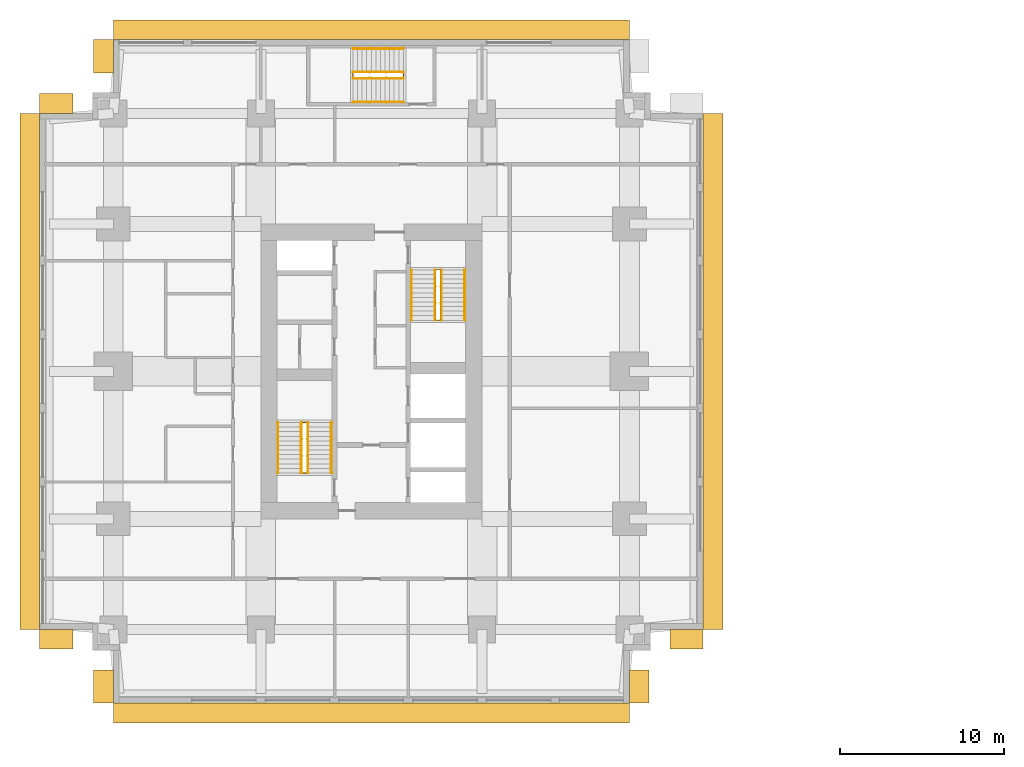
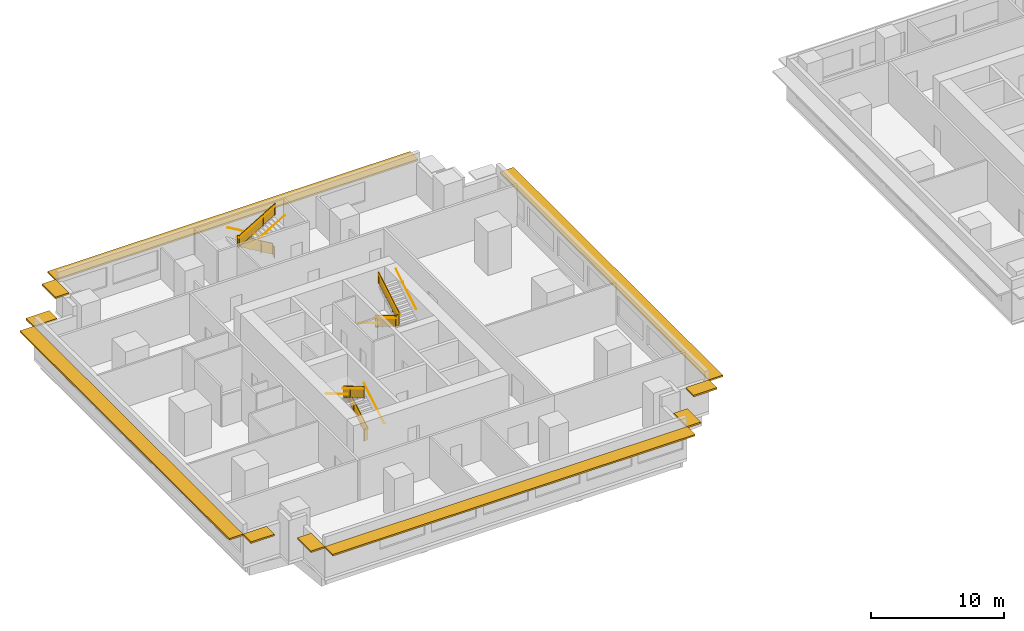
# One storey, part 10 of 11: 15 railings, 10 shading devices.
"""IFC4 building model written with IfcOpenShell, lengths in metres."""

from ifc_helpers import new_model, si_unit, direction, frame, origin, origin_2d, place, context, subcontext, project, spatial, polyline, rectangle, circle, outline, extrude, material, layer, layer_set, type_object, element, save


model = new_model("IFC4")

# Units and contexts
model_context = context("Model", 3, precision=1e-05, world=origin(), true_north=direction((0.0, 1.0)))
body_context = subcontext(model_context, "Body", "Model", "MODEL_VIEW")
ifc_project = project(units=[si_unit("LENGTHUNIT", "METRE"), si_unit("AREAUNIT", "SQUARE_METRE"), si_unit("VOLUMEUNIT", "CUBIC_METRE"), si_unit("PLANEANGLEUNIT", "RADIAN"), si_unit("MASSUNIT", "GRAM", prefix="KILO")], contexts=[model_context])

# Site, building, storey
site_placement = place(None, origin())
site = spatial("IfcSite", under=ifc_project, at=site_placement, CompositionType="ELEMENT")
building_placement = place(site_placement, origin())
building = spatial("IfcBuilding", under=site, at=building_placement, Name="Namib Vertical Campus", CompositionType="ELEMENT")
storey_placement = place(building_placement, frame((0.0, 0.0, 189.0)))
storey = spatial("IfcBuildingStorey", under=building, at=storey_placement, Name="L44", CompositionType="ELEMENT", Elevation=189.0)

# Railings
ifc_material_1 = material(Name="Steel handrail", Category="steel")
railing_type_1 = type_object("IfcRailingType", Name="Handrail 900", PredefinedType="HANDRAIL", material=ifc_material_1)
railing_1_placement = place(storey_placement, frame((17.800048828125, 14.050048828125, 0.166748046875)))
element("IfcRailing", 1, at=railing_1_placement, inside=storey, type_object=railing_type_1, Name="Handrail HR1 A-S1 L44 1", PredefinedType="HANDRAIL", context=body_context, shape_type="SweptSolid", body=[
    extrude(circle(Radius=0.02392578125, at=origin_2d()), frame((0.0, 0.0, 0.8759765625), z_axis=(0.0, 0.859290745958, 0.51148745235), x_axis=(-1.0, 0.0, 0.0)), (0.0, 0.0, 1.0), 3.584228515625),
    extrude(circle(Radius=0.008056640625, at=origin_2d()), frame((0.0, 0.0, 0.8759765625), z_axis=(1.0, 0.0, 0.0), x_axis=(0.0, 0.0, 1.0)), (0.0, 0.0, 1.0), 0.050048828125),
    extrude(circle(Radius=0.008056640625, at=origin_2d()), frame((0.0, 1.026611328125, 1.48681640625), z_axis=(1.0, 0.0, 0.0), x_axis=(0.0, 0.0, 1.0)), (0.0, 0.0, 1.0), 0.050048828125),
    extrude(circle(Radius=0.008056640625, at=origin_2d()), frame((0.0, 2.05322265625, 2.09814453125), z_axis=(1.0, 0.0, 0.0), x_axis=(0.0, 0.0, 1.0)), (0.0, 0.0, 1.0), 0.050048828125),
    extrude(circle(Radius=0.008056640625, at=origin_2d()), frame((0.0, 3.079833984375, 2.708984375), z_axis=(1.0, 0.0, 0.0), x_axis=(0.0, 0.0, 1.0)), (0.0, 0.0, 1.0), 0.050048828125),
])
railing_2_placement = place(storey_placement, frame((14.550048828125, 17.1298828125, 2.166748046875)))
element("IfcRailing", 2, at=railing_2_placement, inside=storey, type_object=railing_type_1, Name="Handrail HR1 A-S1 L44 2", PredefinedType="HANDRAIL", context=body_context, shape_type="SweptSolid", body=[
    extrude(circle(Radius=0.02392578125, at=origin_2d()), frame((0.0, 0.0, 0.8759765625), z_axis=(0.0, -0.859290745958, 0.51148745235), x_axis=(1.0, 0.0, 0.0)), (0.0, 0.0, 1.0), 3.584228515625),
    extrude(circle(Radius=0.008056640625, at=origin_2d()), frame((0.0, 0.0, 0.8759765625), z_axis=(-1.0, 0.0, 0.0), x_axis=(0.0, 0.0, 1.0)), (0.0, 0.0, 1.0), 0.050048828125),
    extrude(circle(Radius=0.008056640625, at=origin_2d()), frame((0.0, -1.026611328125, 1.48681640625), z_axis=(-1.0, 0.0, 0.0), x_axis=(0.0, 0.0, 1.0)), (0.0, 0.0, 1.0), 0.050048828125),
    extrude(circle(Radius=0.008056640625, at=origin_2d()), frame((0.0, -2.05322265625, 2.09814453125), z_axis=(-1.0, 0.0, 0.0), x_axis=(0.0, 0.0, 1.0)), (0.0, 0.0, 1.0), 0.050048828125),
    extrude(circle(Radius=0.008056640625, at=origin_2d()), frame((0.0, -3.079833984375, 2.708984375), z_axis=(-1.0, 0.0, 0.0), x_axis=(0.0, 0.0, 1.0)), (0.0, 0.0, 1.0), 0.050048828125),
])
railing_3_placement = place(storey_placement, frame((16.375, 14.050048828125, 0.166748046875)))
element("IfcRailing", 3, at=railing_3_placement, inside=storey, type_object=railing_type_1, Name="Handrail HR1 A-S1 L44 1 at the well", PredefinedType="HANDRAIL", context=body_context, shape_type="SweptSolid", body=[
    extrude(circle(Radius=0.02392578125, at=origin_2d()), frame((0.0, 0.0, 0.8759765625), z_axis=(0.0, 0.859290745958, 0.51148745235), x_axis=(-1.0, 0.0, 0.0)), (0.0, 0.0, 1.0), 3.584228515625),
    extrude(circle(Radius=0.008056640625, at=origin_2d()), frame((0.0, 0.0, 0.8759765625), z_axis=(-1.0, 0.0, 0.0), x_axis=(0.0, 0.0, 1.0)), (0.0, 0.0, 1.0), 0.0400390625),
    extrude(circle(Radius=0.008056640625, at=origin_2d()), frame((0.0, 1.026611328125, 1.48681640625), z_axis=(-1.0, 0.0, 0.0), x_axis=(0.0, 0.0, 1.0)), (0.0, 0.0, 1.0), 0.0400390625),
    extrude(circle(Radius=0.008056640625, at=origin_2d()), frame((0.0, 2.05322265625, 2.09814453125), z_axis=(-1.0, 0.0, 0.0), x_axis=(0.0, 0.0, 1.0)), (0.0, 0.0, 1.0), 0.0400390625),
    extrude(circle(Radius=0.008056640625, at=origin_2d()), frame((0.0, 3.079833984375, 2.708984375), z_axis=(-1.0, 0.0, 0.0), x_axis=(0.0, 0.0, 1.0)), (0.0, 0.0, 1.0), 0.0400390625),
])
railing_4_placement = place(storey_placement, frame((15.97509765625, 17.1298828125, 2.166748046875)))
element("IfcRailing", 4, at=railing_4_placement, inside=storey, type_object=railing_type_1, Name="Handrail HR1 A-S1 L44 2 at the well", PredefinedType="HANDRAIL", context=body_context, shape_type="SweptSolid", body=[
    extrude(circle(Radius=0.02392578125, at=origin_2d()), frame((0.0, 0.0, 0.8759765625), z_axis=(0.0, -0.859290745958, 0.51148745235), x_axis=(1.0, 0.0, 0.0)), (0.0, 0.0, 1.0), 3.584228515625),
    extrude(circle(Radius=0.008056640625, at=origin_2d()), frame((0.0, 0.0, 0.8759765625), z_axis=(1.0, 0.0, 0.0), x_axis=(0.0, 0.0, 1.0)), (0.0, 0.0, 1.0), 0.0400390625),
    extrude(circle(Radius=0.008056640625, at=origin_2d()), frame((0.0, -1.026611328125, 1.48681640625), z_axis=(1.0, 0.0, 0.0), x_axis=(0.0, 0.0, 1.0)), (0.0, 0.0, 1.0), 0.0400390625),
    extrude(circle(Radius=0.008056640625, at=origin_2d()), frame((0.0, -2.05322265625, 2.09814453125), z_axis=(1.0, 0.0, 0.0), x_axis=(0.0, 0.0, 1.0)), (0.0, 0.0, 1.0), 0.0400390625),
    extrude(circle(Radius=0.008056640625, at=origin_2d()), frame((0.0, -3.079833984375, 2.708984375), z_axis=(1.0, 0.0, 0.0), x_axis=(0.0, 0.0, 1.0)), (0.0, 0.0, 1.0), 0.0400390625),
])
railing_5_placement = place(storey_placement, frame((22.699951171875, 26.449951171875, 0.166748046875)))
element("IfcRailing", 5, at=railing_5_placement, inside=storey, type_object=railing_type_1, Name="Handrail HR1 A-S2 L44 1", PredefinedType="HANDRAIL", context=body_context, shape_type="SweptSolid", body=[
    extrude(circle(Radius=0.02392578125, at=origin_2d()), frame((0.0, 0.0, 0.8759765625), z_axis=(0.0, -0.859290745958, 0.51148745235), x_axis=(1.0, 0.0, 0.0)), (0.0, 0.0, 1.0), 3.584228515625),
    extrude(circle(Radius=0.008056640625, at=origin_2d()), frame((0.0, 0.0, 0.8759765625), z_axis=(-1.0, 0.0, 0.0), x_axis=(0.0, 0.0, 1.0)), (0.0, 0.0, 1.0), 0.050048828125),
    extrude(circle(Radius=0.008056640625, at=origin_2d()), frame((0.0, -1.026611328125, 1.48681640625), z_axis=(-1.0, 0.0, 0.0), x_axis=(0.0, 0.0, 1.0)), (0.0, 0.0, 1.0), 0.050048828125),
    extrude(circle(Radius=0.008056640625, at=origin_2d()), frame((0.0, -2.05322265625, 2.09814453125), z_axis=(-1.0, 0.0, 0.0), x_axis=(0.0, 0.0, 1.0)), (0.0, 0.0, 1.0), 0.050048828125),
    extrude(circle(Radius=0.008056640625, at=origin_2d()), frame((0.0, -3.079833984375, 2.708984375), z_axis=(-1.0, 0.0, 0.0), x_axis=(0.0, 0.0, 1.0)), (0.0, 0.0, 1.0), 0.050048828125),
])
railing_6_placement = place(storey_placement, frame((25.949951171875, 23.3701171875, 2.166748046875)))
element("IfcRailing", 6, at=railing_6_placement, inside=storey, type_object=railing_type_1, Name="Handrail HR1 A-S2 L44 2", PredefinedType="HANDRAIL", context=body_context, shape_type="SweptSolid", body=[
    extrude(circle(Radius=0.02392578125, at=origin_2d()), frame((0.0, 0.0, 0.8759765625), z_axis=(0.0, 0.859290745958, 0.51148745235), x_axis=(-1.0, 0.0, 0.0)), (0.0, 0.0, 1.0), 3.584228515625),
    extrude(circle(Radius=0.008056640625, at=origin_2d()), frame((0.0, 0.0, 0.8759765625), z_axis=(1.0, 0.0, 0.0), x_axis=(0.0, 0.0, 1.0)), (0.0, 0.0, 1.0), 0.050048828125),
    extrude(circle(Radius=0.008056640625, at=origin_2d()), frame((0.0, 1.026611328125, 1.48681640625), z_axis=(1.0, 0.0, 0.0), x_axis=(0.0, 0.0, 1.0)), (0.0, 0.0, 1.0), 0.050048828125),
    extrude(circle(Radius=0.008056640625, at=origin_2d()), frame((0.0, 2.05322265625, 2.09814453125), z_axis=(1.0, 0.0, 0.0), x_axis=(0.0, 0.0, 1.0)), (0.0, 0.0, 1.0), 0.050048828125),
    extrude(circle(Radius=0.008056640625, at=origin_2d()), frame((0.0, 3.079833984375, 2.708984375), z_axis=(1.0, 0.0, 0.0), x_axis=(0.0, 0.0, 1.0)), (0.0, 0.0, 1.0), 0.050048828125),
])
railing_7_placement = place(storey_placement, frame((24.125, 26.449951171875, 0.166748046875)))
element("IfcRailing", 7, at=railing_7_placement, inside=storey, type_object=railing_type_1, Name="Handrail HR1 A-S2 L44 1 at the well", PredefinedType="HANDRAIL", context=body_context, shape_type="SweptSolid", body=[
    extrude(circle(Radius=0.02392578125, at=origin_2d()), frame((0.0, 0.0, 0.8759765625), z_axis=(0.0, -0.859290745958, 0.51148745235), x_axis=(1.0, 0.0, 0.0)), (0.0, 0.0, 1.0), 3.584228515625),
    extrude(circle(Radius=0.008056640625, at=origin_2d()), frame((0.0, 0.0, 0.8759765625), z_axis=(1.0, 0.0, 0.0), x_axis=(0.0, 0.0, 1.0)), (0.0, 0.0, 1.0), 0.0400390625),
    extrude(circle(Radius=0.008056640625, at=origin_2d()), frame((0.0, -1.026611328125, 1.48681640625), z_axis=(1.0, 0.0, 0.0), x_axis=(0.0, 0.0, 1.0)), (0.0, 0.0, 1.0), 0.0400390625),
    extrude(circle(Radius=0.008056640625, at=origin_2d()), frame((0.0, -2.05322265625, 2.09814453125), z_axis=(1.0, 0.0, 0.0), x_axis=(0.0, 0.0, 1.0)), (0.0, 0.0, 1.0), 0.0400390625),
    extrude(circle(Radius=0.008056640625, at=origin_2d()), frame((0.0, -3.079833984375, 2.708984375), z_axis=(1.0, 0.0, 0.0), x_axis=(0.0, 0.0, 1.0)), (0.0, 0.0, 1.0), 0.0400390625),
])
railing_8_placement = place(storey_placement, frame((24.52490234375, 23.3701171875, 2.166748046875)))
element("IfcRailing", 8, at=railing_8_placement, inside=storey, type_object=railing_type_1, Name="Handrail HR1 A-S2 L44 2 at the well", PredefinedType="HANDRAIL", context=body_context, shape_type="SweptSolid", body=[
    extrude(circle(Radius=0.02392578125, at=origin_2d()), frame((0.0, 0.0, 0.8759765625), z_axis=(0.0, 0.859290745958, 0.51148745235), x_axis=(-1.0, 0.0, 0.0)), (0.0, 0.0, 1.0), 3.584228515625),
    extrude(circle(Radius=0.008056640625, at=origin_2d()), frame((0.0, 0.0, 0.8759765625), z_axis=(-1.0, 0.0, 0.0), x_axis=(0.0, 0.0, 1.0)), (0.0, 0.0, 1.0), 0.0400390625),
    extrude(circle(Radius=0.008056640625, at=origin_2d()), frame((0.0, 1.026611328125, 1.48681640625), z_axis=(-1.0, 0.0, 0.0), x_axis=(0.0, 0.0, 1.0)), (0.0, 0.0, 1.0), 0.0400390625),
    extrude(circle(Radius=0.008056640625, at=origin_2d()), frame((0.0, 2.05322265625, 2.09814453125), z_axis=(-1.0, 0.0, 0.0), x_axis=(0.0, 0.0, 1.0)), (0.0, 0.0, 1.0), 0.0400390625),
    extrude(circle(Radius=0.008056640625, at=origin_2d()), frame((0.0, 3.079833984375, 2.708984375), z_axis=(-1.0, 0.0, 0.0), x_axis=(0.0, 0.0, 1.0)), (0.0, 0.0, 1.0), 0.0400390625),
])
railing_9_placement = place(storey_placement, frame((22.199951171875, 39.949951171875, 0.166748046875)))
element("IfcRailing", 9, at=railing_9_placement, inside=storey, type_object=railing_type_1, Name="Handrail HR1 A-S3 L44 1", PredefinedType="HANDRAIL", context=body_context, shape_type="SweptSolid", body=[
    extrude(circle(Radius=0.02392578125, at=origin_2d()), frame((0.0, 0.0, 0.8759765625), z_axis=(-0.859290745958, 0.0, 0.51148745235), x_axis=(0.0, -1.0, 0.0)), (0.0, 0.0, 1.0), 3.584228515625),
    extrude(circle(Radius=0.008056640625, at=origin_2d()), frame((0.0, 0.0, 0.8759765625), z_axis=(0.0, 1.0, 0.0), x_axis=(0.0, 0.0, 1.0)), (0.0, 0.0, 1.0), 0.050048828125),
    extrude(circle(Radius=0.008056640625, at=origin_2d()), frame((-1.026611328125, 0.0, 1.48681640625), z_axis=(0.0, 1.0, 0.0), x_axis=(0.0, 0.0, 1.0)), (0.0, 0.0, 1.0), 0.050048828125),
    extrude(circle(Radius=0.008056640625, at=origin_2d()), frame((-2.05322265625, 0.0, 2.09814453125), z_axis=(0.0, 1.0, 0.0), x_axis=(0.0, 0.0, 1.0)), (0.0, 0.0, 1.0), 0.050048828125),
    extrude(circle(Radius=0.008056640625, at=origin_2d()), frame((-3.079833984375, 0.0, 2.708984375), z_axis=(0.0, 1.0, 0.0), x_axis=(0.0, 0.0, 1.0)), (0.0, 0.0, 1.0), 0.050048828125),
])
railing_10_placement = place(storey_placement, frame((19.1201171875, 36.699951171875, 2.166748046875)))
element("IfcRailing", 10, at=railing_10_placement, inside=storey, type_object=railing_type_1, Name="Handrail HR1 A-S3 L44 2", PredefinedType="HANDRAIL", context=body_context, shape_type="SweptSolid", body=[
    extrude(circle(Radius=0.02392578125, at=origin_2d()), frame((0.0, 0.0, 0.8759765625), z_axis=(0.859290745958, 0.0, 0.51148745235), x_axis=(0.0, 1.0, 0.0)), (0.0, 0.0, 1.0), 3.584228515625),
    extrude(circle(Radius=0.008056640625, at=origin_2d()), frame((0.0, 0.0, 0.8759765625), z_axis=(0.0, -1.0, 0.0), x_axis=(0.0, 0.0, 1.0)), (0.0, 0.0, 1.0), 0.050048828125),
    extrude(circle(Radius=0.008056640625, at=origin_2d()), frame((1.026611328125, 0.0, 1.48681640625), z_axis=(0.0, -1.0, 0.0), x_axis=(0.0, 0.0, 1.0)), (0.0, 0.0, 1.0), 0.050048828125),
    extrude(circle(Radius=0.008056640625, at=origin_2d()), frame((2.05322265625, 0.0, 2.09814453125), z_axis=(0.0, -1.0, 0.0), x_axis=(0.0, 0.0, 1.0)), (0.0, 0.0, 1.0), 0.050048828125),
    extrude(circle(Radius=0.008056640625, at=origin_2d()), frame((3.079833984375, 0.0, 2.708984375), z_axis=(0.0, -1.0, 0.0), x_axis=(0.0, 0.0, 1.0)), (0.0, 0.0, 1.0), 0.050048828125),
])
railing_11_placement = place(storey_placement, frame((22.199951171875, 38.52490234375, 0.166748046875)))
element("IfcRailing", 11, at=railing_11_placement, inside=storey, type_object=railing_type_1, Name="Handrail HR1 A-S3 L44 1 at the well", PredefinedType="HANDRAIL", context=body_context, shape_type="SweptSolid", body=[
    extrude(circle(Radius=0.02392578125, at=origin_2d()), frame((0.0, 0.0, 0.8759765625), z_axis=(-0.859290745958, 0.0, 0.51148745235), x_axis=(0.0, -1.0, 0.0)), (0.0, 0.0, 1.0), 3.584228515625),
    extrude(circle(Radius=0.008056640625, at=origin_2d()), frame((0.0, 0.0, 0.8759765625), z_axis=(0.0, -1.0, 0.0), x_axis=(0.0, 0.0, 1.0)), (0.0, 0.0, 1.0), 0.0400390625),
    extrude(circle(Radius=0.008056640625, at=origin_2d()), frame((-1.026611328125, 0.0, 1.48681640625), z_axis=(0.0, -1.0, 0.0), x_axis=(0.0, 0.0, 1.0)), (0.0, 0.0, 1.0), 0.0400390625),
    extrude(circle(Radius=0.008056640625, at=origin_2d()), frame((-2.05322265625, 0.0, 2.09814453125), z_axis=(0.0, -1.0, 0.0), x_axis=(0.0, 0.0, 1.0)), (0.0, 0.0, 1.0), 0.0400390625),
    extrude(circle(Radius=0.008056640625, at=origin_2d()), frame((-3.079833984375, 0.0, 2.708984375), z_axis=(0.0, -1.0, 0.0), x_axis=(0.0, 0.0, 1.0)), (0.0, 0.0, 1.0), 0.0400390625),
])
railing_12_placement = place(storey_placement, frame((19.1201171875, 38.125, 2.166748046875)))
element("IfcRailing", 12, at=railing_12_placement, inside=storey, type_object=railing_type_1, Name="Handrail HR1 A-S3 L44 2 at the well", PredefinedType="HANDRAIL", context=body_context, shape_type="SweptSolid", body=[
    extrude(circle(Radius=0.02392578125, at=origin_2d()), frame((0.0, 0.0, 0.8759765625), z_axis=(0.859290745958, 0.0, 0.51148745235), x_axis=(0.0, 1.0, 0.0)), (0.0, 0.0, 1.0), 3.584228515625),
    extrude(circle(Radius=0.008056640625, at=origin_2d()), frame((0.0, 0.0, 0.8759765625), z_axis=(0.0, 1.0, 0.0), x_axis=(0.0, 0.0, 1.0)), (0.0, 0.0, 1.0), 0.0400390625),
    extrude(circle(Radius=0.008056640625, at=origin_2d()), frame((1.026611328125, 0.0, 1.48681640625), z_axis=(0.0, 1.0, 0.0), x_axis=(0.0, 0.0, 1.0)), (0.0, 0.0, 1.0), 0.0400390625),
    extrude(circle(Radius=0.008056640625, at=origin_2d()), frame((2.05322265625, 0.0, 2.09814453125), z_axis=(0.0, 1.0, 0.0), x_axis=(0.0, 0.0, 1.0)), (0.0, 0.0, 1.0), 0.0400390625),
    extrude(circle(Radius=0.008056640625, at=origin_2d()), frame((3.079833984375, 0.0, 2.708984375), z_axis=(0.0, 1.0, 0.0), x_axis=(0.0, 0.0, 1.0)), (0.0, 0.0, 1.0), 0.0400390625),
])
ifc_material_2 = material(Name="Steel balustrade", Category="steel")
railing_type_2 = type_object("IfcRailingType", Name="Stair guard 1100", PredefinedType="GUARDRAIL", material=ifc_material_2)
railing_13_placement = place(storey_placement, frame((16.02490234375, 14.050048828125, 0.0)))
element("IfcRailing", 13, at=railing_13_placement, inside=storey, type_object=railing_type_2, Name="Stair guard GR1 A-S1 L44", PredefinedType="GUARDRAIL", context=body_context, shape_type="SweptSolid", body=[
    extrude(circle(Radius=0.02392578125, at=origin_2d()), frame((0.0, 0.0, 1.076171875), z_axis=(1.0, 0.0, 0.0), x_axis=(0.0, 1.0, 0.0)), (0.0, 0.0, 1.0), 0.300048828125),
    extrude(outline(polyline([(0.02099609375, 0.050048828125), (0.279052734375, 0.050048828125), (0.279052734375, 1.052001953125), (0.02099609375, 1.052001953125), (0.02099609375, 0.050048828125)])), frame((0.0, 0.010009765625, 0.0), z_axis=(0.0, -1.0, 0.0), x_axis=(1.0, 0.0, 0.0)), (0.0, 0.0, 1.0), 0.02001953125),
    extrude(circle(Radius=0.02392578125, at=origin_2d()), frame((0.300048828125, 0.0, 1.076171875), z_axis=(0.0, 0.0, 1.0), x_axis=(1.0, 0.0, 0.0)), (0.0, 0.0, 1.0), 0.166748046875),
    extrude(circle(Radius=0.02392578125, at=origin_2d()), frame((0.300048828125, 0.0, 1.24267578125), z_axis=(0.0, 0.859290745958, 0.51148745235), x_axis=(-1.0, 0.0, 0.0)), (0.0, 0.0, 1.0), 3.584228515625),
    extrude(outline(polyline([(0.02099609375, 0.0625), (3.058837890625, 1.870849609375), (3.058837890625, 2.872802734375), (0.02099609375, 1.064453125), (0.02099609375, 0.0625)])), frame((0.2900390625, 0.0, 0.166748046875), z_axis=(1.0, 0.0, 0.0), x_axis=(0.0, 1.0, 0.0)), (0.0, 0.0, 1.0), 0.02001953125),
    extrude(circle(Radius=0.02392578125, at=origin_2d()), frame((0.300048828125, 3.079833984375, 3.076171875), z_axis=(-1.0, 0.0, 0.0), x_axis=(0.0, -1.0, 0.0)), (0.0, 0.0, 1.0), 0.300048828125),
    extrude(outline(polyline([(0.02099609375, 0.050048828125), (0.279052734375, 0.050048828125), (0.279052734375, 1.052001953125), (0.02099609375, 1.052001953125), (0.02099609375, 0.050048828125)])), frame((0.300048828125, 3.06982421875, 2.0), z_axis=(0.0, 1.0, 0.0), x_axis=(-1.0, 0.0, 0.0)), (0.0, 0.0, 1.0), 0.02001953125),
    extrude(circle(Radius=0.02392578125, at=origin_2d()), frame((0.0, 3.079833984375, 3.076171875), z_axis=(0.0, 0.0, 1.0), x_axis=(1.0, 0.0, 0.0)), (0.0, 0.0, 1.0), 0.166748046875),
    extrude(circle(Radius=0.02392578125, at=origin_2d()), frame((0.0, 3.079833984375, 3.24267578125), z_axis=(0.0, -0.859290745958, 0.51148745235), x_axis=(1.0, 0.0, 0.0)), (0.0, 0.0, 1.0), 3.584228515625),
    extrude(outline(polyline([(0.02099609375, 0.0625), (3.058837890625, 1.870849609375), (3.058837890625, 2.872802734375), (0.02099609375, 1.064453125), (0.02099609375, 0.0625)])), frame((0.010009765625, 3.079833984375, 2.166748046875), z_axis=(-1.0, 0.0, 0.0), x_axis=(0.0, -1.0, 0.0)), (0.0, 0.0, 1.0), 0.02001953125),
    extrude(circle(Radius=0.02392578125, at=origin_2d()), frame((0.0, 0.0, 5.076171875), z_axis=(0.0, -1.0, 0.0), x_axis=(1.0, 0.0, 0.0)), (0.0, 0.0, 1.0), 0.050048828125),
    extrude(outline(polyline([(0.02099609375, 0.050048828125), (0.029052734375, 0.050048828125), (0.029052734375, 1.052001953125), (0.02099609375, 1.052001953125), (0.02099609375, 0.050048828125)])), frame((0.010009765625, 0.0, 4.0), z_axis=(-1.0, 0.0, 0.0), x_axis=(0.0, -1.0, 0.0)), (0.0, 0.0, 1.0), 0.02001953125),
    extrude(circle(Radius=0.02099609375, at=origin_2d()), origin(), (0.0, 0.0, 1.0), 1.052001953125),
    extrude(circle(Radius=0.02099609375, at=origin_2d()), frame((0.300048828125, 0.0, 0.166748046875)), (0.0, 0.0, 1.0), 1.052001953125),
    extrude(circle(Radius=0.02099609375, at=origin_2d()), frame((0.300048828125, 1.026611328125, 0.666748046875)), (0.0, 0.0, 1.0), 1.1630859375),
    extrude(circle(Radius=0.02099609375, at=origin_2d()), frame((0.300048828125, 2.05322265625, 1.33349609375)), (0.0, 0.0, 1.0), 1.107421875),
    extrude(circle(Radius=0.02099609375, at=origin_2d()), frame((0.300048828125, 3.079833984375, 2.0)), (0.0, 0.0, 1.0), 1.052001953125),
    extrude(circle(Radius=0.02099609375, at=origin_2d()), frame((0.0, 3.079833984375, 2.166748046875)), (0.0, 0.0, 1.0), 1.052001953125),
    extrude(circle(Radius=0.02099609375, at=origin_2d()), frame((0.0, 2.05322265625, 2.666748046875)), (0.0, 0.0, 1.0), 1.1630859375),
    extrude(circle(Radius=0.02099609375, at=origin_2d()), frame((0.0, 1.026611328125, 3.33349609375)), (0.0, 0.0, 1.0), 1.107421875),
    extrude(circle(Radius=0.02099609375, at=origin_2d()), frame((0.0, 0.0, 4.0)), (0.0, 0.0, 1.0), 1.052001953125),
    extrude(circle(Radius=0.02099609375, at=origin_2d()), frame((0.0, -0.050048828125, 4.0)), (0.0, 0.0, 1.0), 1.052001953125),
])
railing_14_placement = place(storey_placement, frame((24.47509765625, 26.449951171875, 0.0)))
element("IfcRailing", 14, at=railing_14_placement, inside=storey, type_object=railing_type_2, Name="Stair guard GR1 A-S2 L44", PredefinedType="GUARDRAIL", context=body_context, shape_type="SweptSolid", body=[
    extrude(circle(Radius=0.02392578125, at=origin_2d()), frame((0.0, 0.0, 1.076171875), z_axis=(-1.0, 0.0, 0.0), x_axis=(0.0, -1.0, 0.0)), (0.0, 0.0, 1.0), 0.300048828125),
    extrude(outline(polyline([(0.02099609375, 0.050048828125), (0.279052734375, 0.050048828125), (0.279052734375, 1.052001953125), (0.02099609375, 1.052001953125), (0.02099609375, 0.050048828125)])), frame((0.0, -0.010009765625, 0.0), z_axis=(0.0, 1.0, 0.0), x_axis=(-1.0, 0.0, 0.0)), (0.0, 0.0, 1.0), 0.02001953125),
    extrude(circle(Radius=0.02392578125, at=origin_2d()), frame((-0.300048828125, 0.0, 1.076171875), z_axis=(0.0, 0.0, 1.0), x_axis=(1.0, 0.0, 0.0)), (0.0, 0.0, 1.0), 0.166748046875),
    extrude(circle(Radius=0.02392578125, at=origin_2d()), frame((-0.300048828125, 0.0, 1.24267578125), z_axis=(0.0, -0.859290745958, 0.51148745235), x_axis=(1.0, 0.0, 0.0)), (0.0, 0.0, 1.0), 3.584228515625),
    extrude(outline(polyline([(0.02099609375, 0.0625), (3.058837890625, 1.870849609375), (3.058837890625, 2.872802734375), (0.02099609375, 1.064453125), (0.02099609375, 0.0625)])), frame((-0.2900390625, 0.0, 0.166748046875), z_axis=(-1.0, 0.0, 0.0), x_axis=(0.0, -1.0, 0.0)), (0.0, 0.0, 1.0), 0.02001953125),
    extrude(circle(Radius=0.02392578125, at=origin_2d()), frame((-0.300048828125, -3.079833984375, 3.076171875), z_axis=(1.0, 0.0, 0.0), x_axis=(0.0, 1.0, 0.0)), (0.0, 0.0, 1.0), 0.300048828125),
    extrude(outline(polyline([(0.02099609375, 0.050048828125), (0.279052734375, 0.050048828125), (0.279052734375, 1.052001953125), (0.02099609375, 1.052001953125), (0.02099609375, 0.050048828125)])), frame((-0.300048828125, -3.06982421875, 2.0), z_axis=(0.0, -1.0, 0.0), x_axis=(1.0, 0.0, 0.0)), (0.0, 0.0, 1.0), 0.02001953125),
    extrude(circle(Radius=0.02392578125, at=origin_2d()), frame((0.0, -3.079833984375, 3.076171875), z_axis=(0.0, 0.0, 1.0), x_axis=(1.0, 0.0, 0.0)), (0.0, 0.0, 1.0), 0.166748046875),
    extrude(circle(Radius=0.02392578125, at=origin_2d()), frame((0.0, -3.079833984375, 3.24267578125), z_axis=(0.0, 0.859290745958, 0.51148745235), x_axis=(-1.0, 0.0, 0.0)), (0.0, 0.0, 1.0), 3.584228515625),
    extrude(outline(polyline([(0.02099609375, 0.0625), (3.058837890625, 1.870849609375), (3.058837890625, 2.872802734375), (0.02099609375, 1.064453125), (0.02099609375, 0.0625)])), frame((-0.010009765625, -3.079833984375, 2.166748046875), z_axis=(1.0, 0.0, 0.0), x_axis=(0.0, 1.0, 0.0)), (0.0, 0.0, 1.0), 0.02001953125),
    extrude(circle(Radius=0.02392578125, at=origin_2d()), frame((0.0, 0.0, 5.076171875), z_axis=(0.0, 1.0, 0.0), x_axis=(-1.0, 0.0, 0.0)), (0.0, 0.0, 1.0), 0.050048828125),
    extrude(outline(polyline([(0.02099609375, 0.050048828125), (0.029052734375, 0.050048828125), (0.029052734375, 1.052001953125), (0.02099609375, 1.052001953125), (0.02099609375, 0.050048828125)])), frame((-0.010009765625, 0.0, 4.0), z_axis=(1.0, 0.0, 0.0), x_axis=(0.0, 1.0, 0.0)), (0.0, 0.0, 1.0), 0.02001953125),
    extrude(circle(Radius=0.02099609375, at=origin_2d()), origin(), (0.0, 0.0, 1.0), 1.052001953125),
    extrude(circle(Radius=0.02099609375, at=origin_2d()), frame((-0.300048828125, 0.0, 0.166748046875)), (0.0, 0.0, 1.0), 1.052001953125),
    extrude(circle(Radius=0.02099609375, at=origin_2d()), frame((-0.300048828125, -1.026611328125, 0.666748046875)), (0.0, 0.0, 1.0), 1.1630859375),
    extrude(circle(Radius=0.02099609375, at=origin_2d()), frame((-0.300048828125, -2.05322265625, 1.33349609375)), (0.0, 0.0, 1.0), 1.107421875),
    extrude(circle(Radius=0.02099609375, at=origin_2d()), frame((-0.300048828125, -3.079833984375, 2.0)), (0.0, 0.0, 1.0), 1.052001953125),
    extrude(circle(Radius=0.02099609375, at=origin_2d()), frame((0.0, -3.079833984375, 2.166748046875)), (0.0, 0.0, 1.0), 1.052001953125),
    extrude(circle(Radius=0.02099609375, at=origin_2d()), frame((0.0, -2.05322265625, 2.666748046875)), (0.0, 0.0, 1.0), 1.1630859375),
    extrude(circle(Radius=0.02099609375, at=origin_2d()), frame((0.0, -1.026611328125, 3.33349609375)), (0.0, 0.0, 1.0), 1.107421875),
    extrude(circle(Radius=0.02099609375, at=origin_2d()), frame((0.0, 0.0, 4.0)), (0.0, 0.0, 1.0), 1.052001953125),
    extrude(circle(Radius=0.02099609375, at=origin_2d()), frame((0.0, 0.050048828125, 4.0)), (0.0, 0.0, 1.0), 1.052001953125),
])
railing_15_placement = place(storey_placement, frame((22.199951171875, 38.175048828125, 0.0)))
element("IfcRailing", 15, at=railing_15_placement, inside=storey, type_object=railing_type_2, Name="Stair guard GR1 A-S3 L44", PredefinedType="GUARDRAIL", context=body_context, shape_type="SweptSolid", body=[
    extrude(circle(Radius=0.02392578125, at=origin_2d()), frame((0.0, 0.0, 1.076171875), z_axis=(0.0, 1.0, 0.0), x_axis=(-1.0, 0.0, 0.0)), (0.0, 0.0, 1.0), 0.300048828125),
    extrude(outline(polyline([(0.02099609375, 0.050048828125), (0.279052734375, 0.050048828125), (0.279052734375, 1.052001953125), (0.02099609375, 1.052001953125), (0.02099609375, 0.050048828125)])), frame((-0.010009765625, 0.0, 0.0), z_axis=(1.0, 0.0, 0.0), x_axis=(0.0, 1.0, 0.0)), (0.0, 0.0, 1.0), 0.02001953125),
    extrude(circle(Radius=0.02392578125, at=origin_2d()), frame((0.0, 0.300048828125, 1.076171875), z_axis=(0.0, 0.0, 1.0), x_axis=(1.0, 0.0, 0.0)), (0.0, 0.0, 1.0), 0.166748046875),
    extrude(circle(Radius=0.02392578125, at=origin_2d()), frame((0.0, 0.300048828125, 1.24267578125), z_axis=(-0.859290745958, 0.0, 0.51148745235), x_axis=(0.0, -1.0, 0.0)), (0.0, 0.0, 1.0), 3.584228515625),
    extrude(outline(polyline([(0.02099609375, 0.0625), (3.058837890625, 1.870849609375), (3.058837890625, 2.872802734375), (0.02099609375, 1.064453125), (0.02099609375, 0.0625)])), frame((0.0, 0.2900390625, 0.166748046875), z_axis=(0.0, 1.0, 0.0), x_axis=(-1.0, 0.0, 0.0)), (0.0, 0.0, 1.0), 0.02001953125),
    extrude(circle(Radius=0.02392578125, at=origin_2d()), frame((-3.079833984375, 0.300048828125, 3.076171875), z_axis=(0.0, -1.0, 0.0), x_axis=(1.0, 0.0, 0.0)), (0.0, 0.0, 1.0), 0.300048828125),
    extrude(outline(polyline([(0.02099609375, 0.050048828125), (0.279052734375, 0.050048828125), (0.279052734375, 1.052001953125), (0.02099609375, 1.052001953125), (0.02099609375, 0.050048828125)])), frame((-3.06982421875, 0.300048828125, 2.0), z_axis=(-1.0, 0.0, 0.0), x_axis=(0.0, -1.0, 0.0)), (0.0, 0.0, 1.0), 0.02001953125),
    extrude(circle(Radius=0.02392578125, at=origin_2d()), frame((-3.079833984375, 0.0, 3.076171875), z_axis=(0.0, 0.0, 1.0), x_axis=(1.0, 0.0, 0.0)), (0.0, 0.0, 1.0), 0.166748046875),
    extrude(circle(Radius=0.02392578125, at=origin_2d()), frame((-3.079833984375, 0.0, 3.24267578125), z_axis=(0.859290745958, 0.0, 0.51148745235), x_axis=(0.0, 1.0, 0.0)), (0.0, 0.0, 1.0), 3.584228515625),
    extrude(outline(polyline([(0.02099609375, 0.0625), (3.058837890625, 1.870849609375), (3.058837890625, 2.872802734375), (0.02099609375, 1.064453125), (0.02099609375, 0.0625)])), frame((-3.079833984375, 0.010009765625, 2.166748046875), z_axis=(0.0, -1.0, 0.0), x_axis=(1.0, 0.0, 0.0)), (0.0, 0.0, 1.0), 0.02001953125),
    extrude(circle(Radius=0.02392578125, at=origin_2d()), frame((0.0, 0.0, 5.076171875), z_axis=(1.0, 0.0, 0.0), x_axis=(0.0, 1.0, 0.0)), (0.0, 0.0, 1.0), 0.050048828125),
    extrude(outline(polyline([(0.02099609375, 0.050048828125), (0.029052734375, 0.050048828125), (0.029052734375, 1.052001953125), (0.02099609375, 1.052001953125), (0.02099609375, 0.050048828125)])), frame((0.0, 0.010009765625, 4.0), z_axis=(0.0, -1.0, 0.0), x_axis=(1.0, 0.0, 0.0)), (0.0, 0.0, 1.0), 0.02001953125),
    extrude(circle(Radius=0.02099609375, at=origin_2d()), origin(), (0.0, 0.0, 1.0), 1.052001953125),
    extrude(circle(Radius=0.02099609375, at=origin_2d()), frame((0.0, 0.300048828125, 0.166748046875)), (0.0, 0.0, 1.0), 1.052001953125),
    extrude(circle(Radius=0.02099609375, at=origin_2d()), frame((-1.026611328125, 0.300048828125, 0.666748046875)), (0.0, 0.0, 1.0), 1.1630859375),
    extrude(circle(Radius=0.02099609375, at=origin_2d()), frame((-2.05322265625, 0.300048828125, 1.33349609375)), (0.0, 0.0, 1.0), 1.107421875),
    extrude(circle(Radius=0.02099609375, at=origin_2d()), frame((-3.079833984375, 0.300048828125, 2.0)), (0.0, 0.0, 1.0), 1.052001953125),
    extrude(circle(Radius=0.02099609375, at=origin_2d()), frame((-3.079833984375, 0.0, 2.166748046875)), (0.0, 0.0, 1.0), 1.052001953125),
    extrude(circle(Radius=0.02099609375, at=origin_2d()), frame((-2.05322265625, 0.0, 2.666748046875)), (0.0, 0.0, 1.0), 1.1630859375),
    extrude(circle(Radius=0.02099609375, at=origin_2d()), frame((-1.026611328125, 0.0, 3.33349609375)), (0.0, 0.0, 1.0), 1.107421875),
    extrude(circle(Radius=0.02099609375, at=origin_2d()), frame((0.0, 0.0, 4.0)), (0.0, 0.0, 1.0), 1.052001953125),
    extrude(circle(Radius=0.02099609375, at=origin_2d()), frame((0.050048828125, 0.0, 4.0)), (0.0, 0.0, 1.0), 1.052001953125),
])

# Shading devices
ifc_material_3 = material(Name="Concrete C40/50 precast", Category="concrete")
ifc_layer = layer(ifc_material_3, 0.14990234375)
ifc_layer_set = layer_set([ifc_layer], Name="Concrete C40/50 precast")
shading_device_type = type_object("IfcShadingDeviceType", Name="Sunshade hood 1200", PredefinedType="SHUTTER", material=ifc_layer_set)
shading_device_1_placement = place(storey_placement, frame((20.25, -0.60009765625, 2.75), z_axis=(0.0, 0.0, 1.0), x_axis=(1.0, 0.0, 0.0)))
element("IfcShadingDevice", 16, at=shading_device_1_placement, inside=storey, type_object=shading_device_type, Name="Sunshade SH2 L44 1", PredefinedType="SHUTTER", context=body_context, shape_type="SweptSolid", body=[
    extrude(rectangle(XDim=31.5, YDim=1.199951171875, at=origin_2d()), origin(), (0.0, 0.0, 1.0), 0.14990234375),
])
for number, where, z_axis, x_axis, name in (
    (17, (36.60009765625, 1.012451171875, 2.75), (0.0, 0.0, 1.0), (0.0, 1.0, 0.0), "Sunshade SH2 L44 2"),
    (18, (39.487548828125, 3.89990234375, 2.75), (0.0, 0.0, 1.0), (1.0, 0.0, 0.0), "Sunshade SH2 L44 5"),
):
    element("IfcShadingDevice", number, at=place(storey_placement, frame(where, z_axis=z_axis, x_axis=x_axis)), inside=storey, type_object=shading_device_type, Name=name, PredefinedType="SHUTTER", context=body_context, shape_type="SweptSolid", body=[
        extrude(rectangle(XDim=2.02490234375, YDim=1.199951171875, at=origin_2d()), origin(), (0.0, 0.0, 1.0), 0.14990234375),
    ])
for number, where, z_axis, x_axis, name in (
    (19, (41.10009765625, 20.25, 2.75), (0.0, 0.0, 1.0), (0.0, 1.0, 0.0), "Sunshade SH2 L44 6"),
    (20, (20.25, 41.10009765625, 2.75), (0.0, 0.0, 1.0), (-1.0, 0.0, 0.0), "Sunshade SH2 L44 11"),
):
    element("IfcShadingDevice", number, at=place(storey_placement, frame(where, z_axis=z_axis, x_axis=x_axis)), inside=storey, type_object=shading_device_type, Name=name, PredefinedType="SHUTTER", context=body_context, shape_type="SweptSolid", body=[
        extrude(rectangle(XDim=31.5, YDim=1.199951171875, at=origin_2d()), origin(), (0.0, 0.0, 1.0), 0.14990234375),
    ])
for number, where, z_axis, x_axis, name in (
    (21, (3.89990234375, 39.487548828125, 2.75), (0.0, 0.0, 1.0), (0.0, -1.0, 0.0), "Sunshade SH2 L44 12"),
    (22, (1.012451171875, 36.60009765625, 2.75), (0.0, 0.0, 1.0), (-1.0, 0.0, 0.0), "Sunshade SH2 L44 15"),
):
    element("IfcShadingDevice", number, at=place(storey_placement, frame(where, z_axis=z_axis, x_axis=x_axis)), inside=storey, type_object=shading_device_type, Name=name, PredefinedType="SHUTTER", context=body_context, shape_type="SweptSolid", body=[
        extrude(rectangle(XDim=2.02490234375, YDim=1.199951171875, at=origin_2d()), origin(), (0.0, 0.0, 1.0), 0.14990234375),
    ])
shading_device_2_placement = place(storey_placement, frame((-0.60009765625, 20.25, 2.75), z_axis=(0.0, 0.0, 1.0), x_axis=(0.0, -1.0, 0.0)))
element("IfcShadingDevice", 23, at=shading_device_2_placement, inside=storey, type_object=shading_device_type, Name="Sunshade SH2 L44 16", PredefinedType="SHUTTER", context=body_context, shape_type="SweptSolid", body=[
    extrude(rectangle(XDim=31.5, YDim=1.199951171875, at=origin_2d()), origin(), (0.0, 0.0, 1.0), 0.14990234375),
])
for number, where, z_axis, x_axis, name in (
    (24, (1.012451171875, 3.89990234375, 2.75), (0.0, 0.0, 1.0), (1.0, 0.0, 0.0), "Sunshade SH2 L44 17"),
    (25, (3.89990234375, 1.012451171875, 2.75), (0.0, 0.0, 1.0), (0.0, -1.0, 0.0), "Sunshade SH2 L44 20"),
):
    element("IfcShadingDevice", number, at=place(storey_placement, frame(where, z_axis=z_axis, x_axis=x_axis)), inside=storey, type_object=shading_device_type, Name=name, PredefinedType="SHUTTER", context=body_context, shape_type="SweptSolid", body=[
        extrude(rectangle(XDim=2.02490234375, YDim=1.199951171875, at=origin_2d()), origin(), (0.0, 0.0, 1.0), 0.14990234375),
    ])

save(model, "model.ifc")
